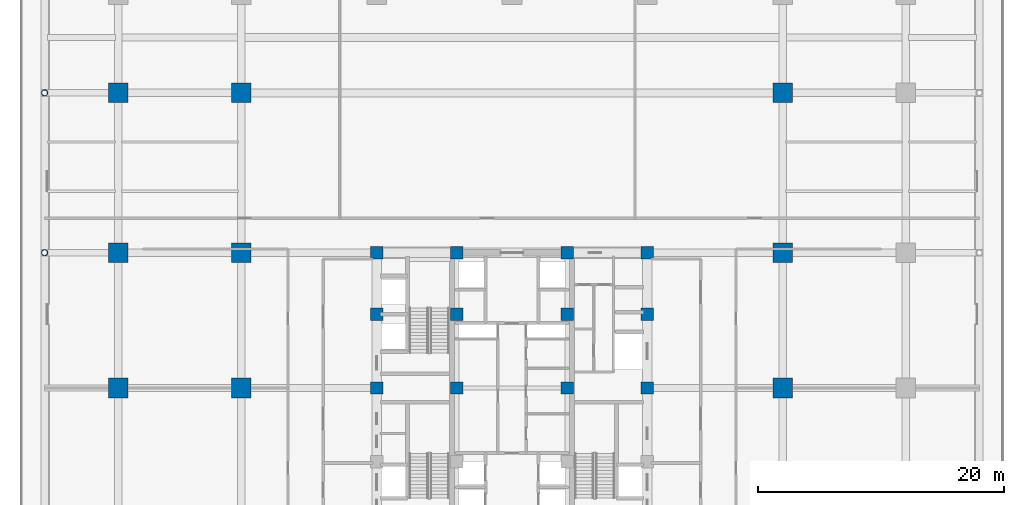
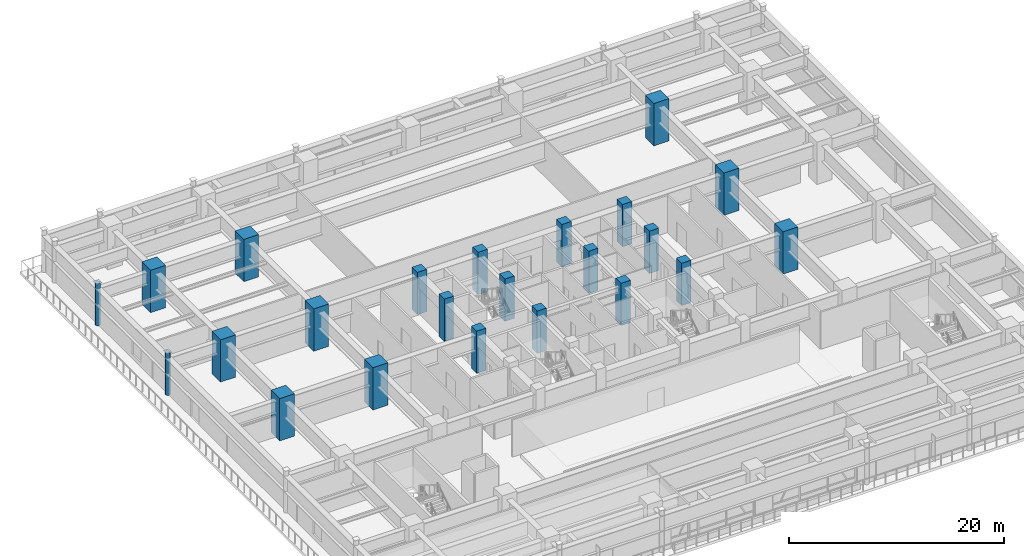
# One storey, part 2 of 35: 23 columns.
"""IFC4 building model written with IfcOpenShell, lengths in metres."""

import ifcopenshell
import ifcopenshell.guid

model = None  # the IFC model being written
_history = None  # IfcOwnerHistory: only IFC2X3 demands one
_inside = {}  # id of a spatial element -> (the spatial element, [elements in it])
_under = {}  # id of a project, library or spatial element -> (it, [spatial elements below it])
_declared = {}  # id of a project -> (the project, [libraries it declares])
_typed = {}  # id of a type object -> (the type object, [elements of that type])
_made_of = {}  # id of a material, layer set ... -> (it, [elements and type objects made of it])


def new_model(schema):
    """Start an empty IFC model of exactly this schema.

    Asked for "IFC4X3", IfcOpenShell would pick the latest addendum, in which some entities
    have other attributes; the version numbers below select the first issue.
    IFC2X3 requires an IfcOwnerHistory on every rooted entity: one is made here for all.
    """
    global model, _history
    if schema == "IFC4X3":
        model = ifcopenshell.file(schema_version=(4, 3, 0, 0))
    else:
        model = ifcopenshell.file(schema=schema)
    _inside.clear()
    _under.clear()
    _declared.clear()
    _typed.clear()
    _made_of.clear()
    _history = None
    if model.schema == "IFC2X3":
        org = make("IfcOrganization", Name="unknown")
        user = make(
            "IfcPersonAndOrganization",
            ThePerson=make("IfcPerson", FamilyName="unknown"),
            TheOrganization=org,
        )
        app = make(
            "IfcApplication",
            ApplicationDeveloper=org,
            Version="unknown",
            ApplicationFullName="unknown",
            ApplicationIdentifier="unknown",
        )
        _history = make(
            "IfcOwnerHistory",
            OwningUser=user,
            OwningApplication=app,
            ChangeAction="ADDED",
            CreationDate=0,
        )
    return model


def make(cls, **values):
    """One entity of the class cls with the attributes given. An attribute that is None is left unset."""
    return model.create_entity(
        cls, **{name: value for name, value in values.items() if value is not None}
    )


def rooted(cls, **values):
    """An entity with a GlobalId (a new one), such as an element, a storey or a relation."""
    return make(cls, GlobalId=ifcopenshell.guid.new(), OwnerHistory=_history, **values)


def si_unit(unit_type, name, prefix=None):
    """IfcSIUnit, for example si_unit("LENGTHUNIT", "METRE", prefix="MILLI")."""
    return make("IfcSIUnit", UnitType=unit_type, Prefix=prefix, Name=name)


def assignment(units):
    """IfcUnitAssignment: the units of a project."""
    return None if units is None else make("IfcUnitAssignment", Units=units)


def point(xyz):
    """IfcCartesianPoint."""
    return None if xyz is None else make("IfcCartesianPoint", Coordinates=xyz)


def direction(xyz):
    """IfcDirection."""
    return None if xyz is None else make("IfcDirection", DirectionRatios=xyz)


def frame(location, z_axis=None, x_axis=None):
    """IfcAxis2Placement3D, a coordinate frame: its origin and axes. An axis left out is left unset."""
    return make(
        "IfcAxis2Placement3D",
        Location=point(location),
        Axis=direction(z_axis),
        RefDirection=direction(x_axis),
    )


def frame_2d(location, x_axis=None):
    """IfcAxis2Placement2D, a coordinate frame in the plane: its origin and x axis."""
    return make(
        "IfcAxis2Placement2D", Location=point(location), RefDirection=direction(x_axis)
    )


def origin():
    """The frame at (0, 0, 0) with its axes left unset."""
    return frame((0.0, 0.0, 0.0))


def origin_2d():
    """The frame at (0, 0) in the plane with its x axis left unset."""
    return frame_2d((0.0, 0.0))


def place(relative_to, where):
    """IfcLocalPlacement: puts the frame where relative to a parent placement (None: the world)."""
    return make(
        "IfcLocalPlacement", PlacementRelTo=relative_to, RelativePlacement=where
    )


def context(
    kind, dimensions, precision=None, world=None, true_north=None, identifier=None
):
    """IfcGeometricRepresentationContext, for example the 3D "Model" context."""
    return make(
        "IfcGeometricRepresentationContext",
        ContextIdentifier=identifier,
        ContextType=kind,
        CoordinateSpaceDimension=dimensions,
        Precision=precision,
        WorldCoordinateSystem=world,
        TrueNorth=true_north,
    )


def subcontext(parent, identifier, kind, view, scale=None):
    """IfcGeometricRepresentationSubContext, for example "Body" below "Model"."""
    return make(
        "IfcGeometricRepresentationSubContext",
        ContextIdentifier=identifier,
        ContextType=kind,
        ParentContext=parent,
        TargetScale=scale,
        TargetView=view,
    )


def project(units=None, contexts=None):
    """IfcProject with its units and contexts."""
    return rooted(
        "IfcProject",
        Name="project",
        RepresentationContexts=contexts,
        UnitsInContext=assignment(units),
    )


def spatial(cls, under=None, at=None, **own):
    """A site, building, storey or space (cls), placed at a placement, below another one or the project."""
    s = rooted(cls, ObjectPlacement=at, **own)
    if under is not None:
        _under.setdefault(under.id(), (under, []))[1].append(s)
    return s


def profile(cls, at=None, kind="AREA", **sizes):
    """A parametric profile (cls). Its sizes go by their IFC names, for example OverallWidth=200.0."""
    return make(cls, ProfileType=kind, Position=at, **sizes)


def rectangle(**sizes):
    """IfcRectangleProfileDef."""
    return profile("IfcRectangleProfileDef", **sizes)


def hollow_circle(**sizes):
    """IfcCircleHollowProfileDef."""
    return profile("IfcCircleHollowProfileDef", **sizes)


def extrude(swept, where, along, depth):
    """IfcExtrudedAreaSolid: the profile swept, set in the frame where, extruded along a direction by depth."""
    return make(
        "IfcExtrudedAreaSolid",
        SweptArea=swept,
        Position=where,
        ExtrudedDirection=direction(along),
        Depth=depth,
    )


def shape(context_of_items, identifier, shape_type, items):
    """IfcShapeRepresentation: the items that make up one representation, for example the "Body"."""
    return make(
        "IfcShapeRepresentation",
        ContextOfItems=context_of_items,
        RepresentationIdentifier=identifier,
        RepresentationType=shape_type,
        Items=items,
    )


def source(mapping_origin, context_of_items, identifier, shape_type, items):
    """IfcRepresentationMap: a shape defined once, which mapped items show again and again."""
    return make(
        "IfcRepresentationMap",
        MappingOrigin=mapping_origin,
        MappedRepresentation=shape(context_of_items, identifier, shape_type, items),
    )


def transform(
    local_origin,
    x_axis=None,
    y_axis=None,
    z_axis=None,
    scale=None,
    scale2=None,
    scale3=None,
    uniform=True,
):
    """IfcCartesianTransformationOperator3D, or its non-uniform kind. x_axis, y_axis, z_axis: its Axis1, 2, 3."""
    if uniform:
        return make(
            "IfcCartesianTransformationOperator3D",
            Axis1=direction(x_axis),
            Axis2=direction(y_axis),
            LocalOrigin=point(local_origin),
            Scale=scale,
            Axis3=direction(z_axis),
        )
    return make(
        "IfcCartesianTransformationOperator3DnonUniform",
        Axis1=direction(x_axis),
        Axis2=direction(y_axis),
        LocalOrigin=point(local_origin),
        Scale=scale,
        Axis3=direction(z_axis),
        Scale2=scale2,
        Scale3=scale3,
    )


def mapped(mapping_source, mapping_target):
    """IfcMappedItem: shows the shape of a source again, moved by a transform."""
    return make(
        "IfcMappedItem", MappingSource=mapping_source, MappingTarget=mapping_target
    )


def material(Name=None, Category=None):
    """IfcMaterial."""
    return make("IfcMaterial", Name=Name, Category=Category)


def material_profile(
    of_material, cross_section, Name=None, Category=None, Priority=None
):
    """IfcMaterialProfile: a cross section and its material."""
    return make(
        "IfcMaterialProfile",
        Name=Name,
        Material=of_material,
        Profile=cross_section,
        Priority=Priority,
        Category=Category,
    )


def profile_set(profiles, Name=None, composite=None):
    """IfcMaterialProfileSet."""
    return make(
        "IfcMaterialProfileSet",
        Name=Name,
        MaterialProfiles=profiles,
        CompositeProfile=composite,
    )


def made_of(thing, what):
    """Note that an element or type object is made of a material, layer set ...; save() writes the relation."""
    if what is not None:
        _made_of.setdefault(what.id(), (what, []))[1].append(thing)
    return thing


def type_object(cls, material=None, **own):
    """A type object (cls), such as IfcWallType, which elements share."""
    return made_of(rooted(cls, **own), material)


def element(
    cls,
    number,
    at=None,
    inside=None,
    cuts=None,
    type_object=None,
    material=None,
    context=None,
    identifier="Body",
    shape_type=None,
    held_by="IfcProductDefinitionShape",
    body=None,
    shapes=None,
    **own,
):
    """One element of the class cls, such as IfcWall. Its Tag is "e" and its number.

    at: its placement. inside: the storey or other place that contains it. cuts: it is an
    opening in that element (IfcRelVoidsElement). A single representation is given by context,
    identifier, shape_type and body (its items); several are given by shapes. held_by: the class
    of the entity that holds the representations. save() writes the other relations.
    """
    e = rooted(cls, Tag="e%d" % number, ObjectPlacement=at, **own)
    if body is not None:
        shapes = [shape(context, identifier, shape_type, body)]
    if shapes is not None:
        e.Representation = make(held_by, Representations=shapes)
    if inside is not None:
        _inside.setdefault(inside.id(), (inside, []))[1].append(e)
    if cuts is not None:
        rooted(
            "IfcRelVoidsElement", RelatingBuildingElement=cuts, RelatedOpeningElement=e
        )
    if type_object is not None:
        _typed.setdefault(type_object.id(), (type_object, []))[1].append(e)
    return made_of(e, material)


def aggregate(whole, parts):
    """IfcRelAggregates: a whole, such as a stair, and the parts it consists of."""
    return rooted("IfcRelAggregates", RelatingObject=whole, RelatedObjects=parts)


def save(model, path):
    """Write the relations noted so far, then the file.

    IfcRelAggregates (storeys below a building ...), IfcRelContainedInSpatialStructure (elements
    in a storey), IfcRelDefinesByType, IfcRelAssociatesMaterial and IfcRelDeclares: one each for
    every whole, place, type object, material and project.
    """
    for whole, parts in _under.values():
        aggregate(whole, parts)
    for where, things in _inside.values():
        rooted(
            "IfcRelContainedInSpatialStructure",
            RelatedElements=things,
            RelatingStructure=where,
        )
    for kind, things in _typed.values():
        rooted("IfcRelDefinesByType", RelatedObjects=things, RelatingType=kind)
    for what, things in _made_of.values():
        rooted("IfcRelAssociatesMaterial", RelatedObjects=things, RelatingMaterial=what)
    for by, libraries in _declared.values():
        rooted("IfcRelDeclares", RelatingContext=by, RelatedDefinitions=libraries)
    model.write(path)


model = new_model("IFC4")

# Units and contexts
model_context = context("Model", 3, precision=1e-05, world=origin(), true_north=direction((0.0, 1.0)))
body_context = subcontext(model_context, "Body", "Model", "MODEL_VIEW")
ifc_project = project(units=[si_unit("LENGTHUNIT", "METRE"), si_unit("AREAUNIT", "SQUARE_METRE"), si_unit("VOLUMEUNIT", "CUBIC_METRE"), si_unit("PLANEANGLEUNIT", "RADIAN"), si_unit("MASSUNIT", "GRAM", prefix="KILO")], contexts=[model_context])

# Site, building, storey
site_placement = place(None, origin())
site = spatial("IfcSite", under=ifc_project, at=site_placement, CompositionType="ELEMENT")
building_placement = place(site_placement, origin())
building = spatial("IfcBuilding", under=site, at=building_placement, Name="Khorayat Bourse Tower", CompositionType="ELEMENT")
storey_placement = place(building_placement, frame((0.0, 0.0, 22.199951171875)))
storey = spatial("IfcBuildingStorey", under=building, at=storey_placement, Name="L04", CompositionType="ELEMENT", Elevation=22.199951171875)

# Columns
ifc_material_1 = material(Name="Concrete C72/90", Category="concrete")
ifc_material_profile_1 = material_profile(ifc_material_1, rectangle(XDim=1.60009765625, YDim=1.60009765625, at=origin_2d()), Name="RC 1600x1600")
ifc_profile_set_1 = profile_set([ifc_material_profile_1], Name="Concrete C72/90")
column_type_1 = type_object("IfcColumnType", Name="COL-MEGA-1600", PredefinedType="COLUMN", material=ifc_profile_set_1)
shared_shape_1 = source(origin(), body_context, "Body", "SweptSolid", [
    extrude(rectangle(XDim=1.60009765625, YDim=1.60009765625, at=origin_2d()), origin(), (0.0, 0.0, 1.0), 4.800048828125),
])
for number, where, z_axis, x_axis, name in (
    (1, (-32.0, 0.0, 0.0), (0.0, 0.0, 1.0), (1.0, 0.0, 0.0), "L04 Column 011"),
    (2, (-32.0, 11.0, 0.0), (0.0, 0.0, 1.0), (1.0, 0.0, 0.0), "L04 Column 012"),
    (3, (-32.0, 24.0, 0.0), (0.0, 0.0, 1.0), (1.0, 0.0, 0.0), "L04 Column 013"),
    (4, (-22.0, 0.0, 0.0), (0.0, 0.0, 1.0), (1.0, 0.0, 0.0), "L04 Column 020"),
    (5, (-22.0, 11.0, 0.0), (0.0, 0.0, 1.0), (1.0, 0.0, 0.0), "L04 Column 021"),
    (6, (-22.0, 24.0, 0.0), (0.0, 0.0, 1.0), (1.0, 0.0, 0.0), "L04 Column 022"),
    (7, (22.0, 0.0, 0.0), (0.0, 0.0, 1.0), (1.0, 0.0, 0.0), "L04 Column 059"),
    (8, (22.0, 11.0, 0.0), (0.0, 0.0, 1.0), (1.0, 0.0, 0.0), "L04 Column 060"),
    (9, (22.0, 24.0, 0.0), (0.0, 0.0, 1.0), (1.0, 0.0, 0.0), "L04 Column 061"),
):
    element("IfcColumn", number, at=place(storey_placement, frame(where, z_axis=z_axis, x_axis=x_axis)), inside=storey, type_object=column_type_1, Name=name, PredefinedType="COLUMN", context=body_context, shape_type="MappedRepresentation", body=[
        mapped(shared_shape_1, transform((0.0, 0.0, 0.0), scale=1.0)),
    ])
ifc_material_profile_2 = material_profile(ifc_material_1, rectangle(XDim=1.0, YDim=1.0, at=origin_2d()), Name="RC 1000x1000")
ifc_profile_set_2 = profile_set([ifc_material_profile_2], Name="Concrete C72/90")
column_type_2 = type_object("IfcColumnType", Name="COL-CORE-1000", PredefinedType="COLUMN", material=ifc_profile_set_2)
shared_shape_2 = source(origin(), body_context, "Body", "SweptSolid", [
    extrude(rectangle(XDim=1.0, YDim=1.0, at=origin_2d()), origin(), (0.0, 0.0, 1.0), 4.800048828125),
])
for number, where, z_axis, x_axis, name in (
    (10, (-11.0, 0.0, 0.0), (0.0, 0.0, 1.0), (1.0, 0.0, 0.0), "L04 Column 029"),
    (11, (-11.0, 6.0, 0.0), (0.0, 0.0, 1.0), (1.0, 0.0, 0.0), "L04 Column 030"),
    (12, (-11.0, 11.0, 0.0), (0.0, 0.0, 1.0), (1.0, 0.0, 0.0), "L04 Column 031"),
    (13, (-4.5, 0.0, 0.0), (0.0, 0.0, 1.0), (1.0, 0.0, 0.0), "L04 Column 036"),
    (14, (-4.5, 6.0, 0.0), (0.0, 0.0, 1.0), (1.0, 0.0, 0.0), "L04 Column 037"),
    (15, (-4.5, 11.0, 0.0), (0.0, 0.0, 1.0), (1.0, 0.0, 0.0), "L04 Column 038"),
    (16, (4.5, 0.0, 0.0), (0.0, 0.0, 1.0), (1.0, 0.0, 0.0), "L04 Column 043"),
    (17, (4.5, 6.0, 0.0), (0.0, 0.0, 1.0), (1.0, 0.0, 0.0), "L04 Column 044"),
    (18, (4.5, 11.0, 0.0), (0.0, 0.0, 1.0), (1.0, 0.0, 0.0), "L04 Column 045"),
    (19, (11.0, 0.0, 0.0), (0.0, 0.0, 1.0), (1.0, 0.0, 0.0), "L04 Column 050"),
    (20, (11.0, 6.0, 0.0), (0.0, 0.0, 1.0), (1.0, 0.0, 0.0), "L04 Column 051"),
    (21, (11.0, 11.0, 0.0), (0.0, 0.0, 1.0), (1.0, 0.0, 0.0), "L04 Column 052"),
):
    element("IfcColumn", number, at=place(storey_placement, frame(where, z_axis=z_axis, x_axis=x_axis)), inside=storey, type_object=column_type_2, Name=name, PredefinedType="COLUMN", context=body_context, shape_type="MappedRepresentation", body=[
        mapped(shared_shape_2, transform((0.0, 0.0, 0.0), scale=1.0)),
    ])
ifc_material_2 = material(Name="Steel EN 10025-2 S355J2", Category="steel")
ifc_material_profile_3 = material_profile(ifc_material_2, hollow_circle(Radius=0.25390625, WallThickness=0.02490234375, at=origin_2d()), Name="CHS 508x25")
ifc_profile_set_3 = profile_set([ifc_material_profile_3], Name="Steel EN 10025-2 S355J2")
column_type_3 = type_object("IfcColumnType", Name="COL-POD-CHS508", PredefinedType="COLUMN", material=ifc_profile_set_3)
shared_shape_3 = source(origin(), body_context, "Body", "SweptSolid", [
    extrude(hollow_circle(Radius=0.25390625, WallThickness=0.02490234375, at=origin_2d()), origin(), (0.0, 0.0, 1.0), 4.800048828125),
])
for number, where, z_axis, x_axis, name in (
    (22, (-38.0, 11.0, 0.0), (0.0, 0.0, 1.0), (1.0, 0.0, 0.0), "L04 Column 004"),
    (23, (-38.0, 24.0, 0.0), (0.0, 0.0, 1.0), (1.0, 0.0, 0.0), "L04 Column 005"),
):
    element("IfcColumn", number, at=place(storey_placement, frame(where, z_axis=z_axis, x_axis=x_axis)), inside=storey, type_object=column_type_3, Name=name, PredefinedType="COLUMN", context=body_context, shape_type="MappedRepresentation", body=[
        mapped(shared_shape_3, transform((0.0, 0.0, 0.0), scale=1.0)),
    ])

save(model, "model.ifc")
